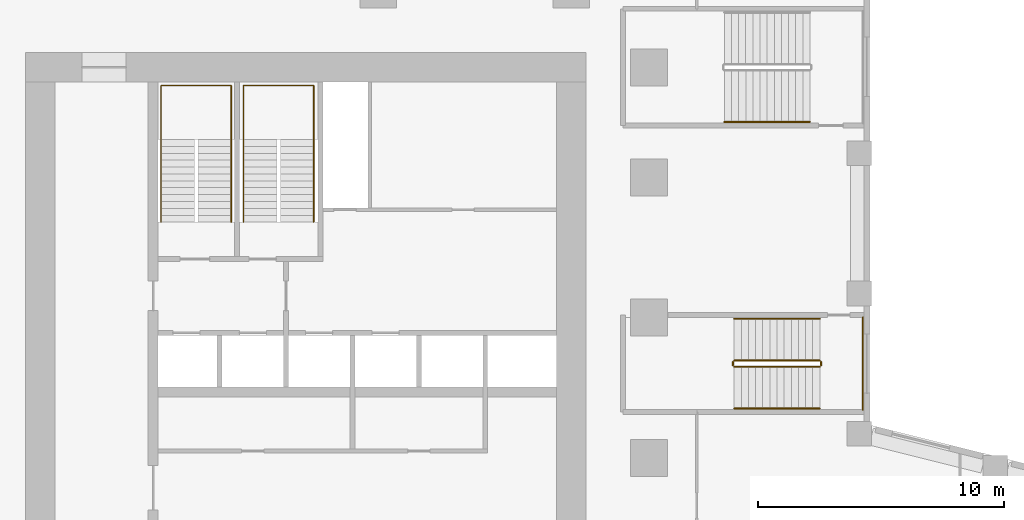
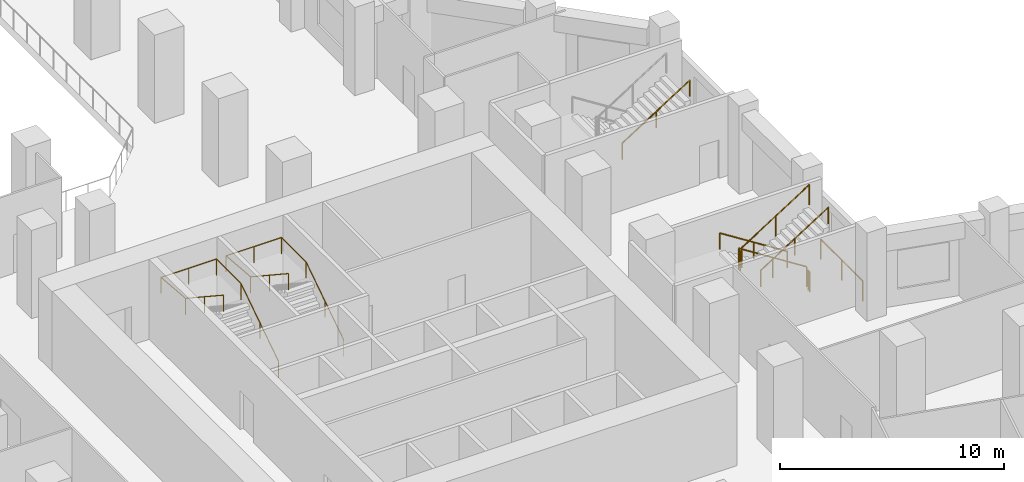
# One storey, part 12 of 16: 10 railings.
"""IFC4 building model written with IfcOpenShell, lengths in metres."""

import ifcopenshell
import ifcopenshell.guid

model = None  # the IFC model being written
_history = None  # IfcOwnerHistory: only IFC2X3 demands one
_inside = {}  # id of a spatial element -> (the spatial element, [elements in it])
_under = {}  # id of a project, library or spatial element -> (it, [spatial elements below it])
_declared = {}  # id of a project -> (the project, [libraries it declares])
_typed = {}  # id of a type object -> (the type object, [elements of that type])
_made_of = {}  # id of a material, layer set ... -> (it, [elements and type objects made of it])


def new_model(schema):
    """Start an empty IFC model of exactly this schema.

    Asked for "IFC4X3", IfcOpenShell would pick the latest addendum, in which some entities
    have other attributes; the version numbers below select the first issue.
    IFC2X3 requires an IfcOwnerHistory on every rooted entity: one is made here for all.
    """
    global model, _history
    if schema == "IFC4X3":
        model = ifcopenshell.file(schema_version=(4, 3, 0, 0))
    else:
        model = ifcopenshell.file(schema=schema)
    _inside.clear()
    _under.clear()
    _declared.clear()
    _typed.clear()
    _made_of.clear()
    _history = None
    if model.schema == "IFC2X3":
        org = make("IfcOrganization", Name="unknown")
        user = make(
            "IfcPersonAndOrganization",
            ThePerson=make("IfcPerson", FamilyName="unknown"),
            TheOrganization=org,
        )
        app = make(
            "IfcApplication",
            ApplicationDeveloper=org,
            Version="unknown",
            ApplicationFullName="unknown",
            ApplicationIdentifier="unknown",
        )
        _history = make(
            "IfcOwnerHistory",
            OwningUser=user,
            OwningApplication=app,
            ChangeAction="ADDED",
            CreationDate=0,
        )
    return model


def make(cls, **values):
    """One entity of the class cls with the attributes given. An attribute that is None is left unset."""
    return model.create_entity(
        cls, **{name: value for name, value in values.items() if value is not None}
    )


def rooted(cls, **values):
    """An entity with a GlobalId (a new one), such as an element, a storey or a relation."""
    return make(cls, GlobalId=ifcopenshell.guid.new(), OwnerHistory=_history, **values)


def si_unit(unit_type, name, prefix=None):
    """IfcSIUnit, for example si_unit("LENGTHUNIT", "METRE", prefix="MILLI")."""
    return make("IfcSIUnit", UnitType=unit_type, Prefix=prefix, Name=name)


def assignment(units):
    """IfcUnitAssignment: the units of a project."""
    return None if units is None else make("IfcUnitAssignment", Units=units)


def point(xyz):
    """IfcCartesianPoint."""
    return None if xyz is None else make("IfcCartesianPoint", Coordinates=xyz)


def direction(xyz):
    """IfcDirection."""
    return None if xyz is None else make("IfcDirection", DirectionRatios=xyz)


def frame(location, z_axis=None, x_axis=None):
    """IfcAxis2Placement3D, a coordinate frame: its origin and axes. An axis left out is left unset."""
    return make(
        "IfcAxis2Placement3D",
        Location=point(location),
        Axis=direction(z_axis),
        RefDirection=direction(x_axis),
    )


def frame_2d(location, x_axis=None):
    """IfcAxis2Placement2D, a coordinate frame in the plane: its origin and x axis."""
    return make(
        "IfcAxis2Placement2D", Location=point(location), RefDirection=direction(x_axis)
    )


def origin():
    """The frame at (0, 0, 0) with its axes left unset."""
    return frame((0.0, 0.0, 0.0))


def origin_2d():
    """The frame at (0, 0) in the plane with its x axis left unset."""
    return frame_2d((0.0, 0.0))


def place(relative_to, where):
    """IfcLocalPlacement: puts the frame where relative to a parent placement (None: the world)."""
    return make(
        "IfcLocalPlacement", PlacementRelTo=relative_to, RelativePlacement=where
    )


def context(
    kind, dimensions, precision=None, world=None, true_north=None, identifier=None
):
    """IfcGeometricRepresentationContext, for example the 3D "Model" context."""
    return make(
        "IfcGeometricRepresentationContext",
        ContextIdentifier=identifier,
        ContextType=kind,
        CoordinateSpaceDimension=dimensions,
        Precision=precision,
        WorldCoordinateSystem=world,
        TrueNorth=true_north,
    )


def subcontext(parent, identifier, kind, view, scale=None):
    """IfcGeometricRepresentationSubContext, for example "Body" below "Model"."""
    return make(
        "IfcGeometricRepresentationSubContext",
        ContextIdentifier=identifier,
        ContextType=kind,
        ParentContext=parent,
        TargetScale=scale,
        TargetView=view,
    )


def project(units=None, contexts=None):
    """IfcProject with its units and contexts."""
    return rooted(
        "IfcProject",
        Name="project",
        RepresentationContexts=contexts,
        UnitsInContext=assignment(units),
    )


def spatial(cls, under=None, at=None, **own):
    """A site, building, storey or space (cls), placed at a placement, below another one or the project."""
    s = rooted(cls, ObjectPlacement=at, **own)
    if under is not None:
        _under.setdefault(under.id(), (under, []))[1].append(s)
    return s


def profile(cls, at=None, kind="AREA", **sizes):
    """A parametric profile (cls). Its sizes go by their IFC names, for example OverallWidth=200.0."""
    return make(cls, ProfileType=kind, Position=at, **sizes)


def circle(**sizes):
    """IfcCircleProfileDef."""
    return profile("IfcCircleProfileDef", **sizes)


def extrude(swept, where, along, depth):
    """IfcExtrudedAreaSolid: the profile swept, set in the frame where, extruded along a direction by depth."""
    return make(
        "IfcExtrudedAreaSolid",
        SweptArea=swept,
        Position=where,
        ExtrudedDirection=direction(along),
        Depth=depth,
    )


def shape(context_of_items, identifier, shape_type, items):
    """IfcShapeRepresentation: the items that make up one representation, for example the "Body"."""
    return make(
        "IfcShapeRepresentation",
        ContextOfItems=context_of_items,
        RepresentationIdentifier=identifier,
        RepresentationType=shape_type,
        Items=items,
    )


def material(Name=None, Category=None):
    """IfcMaterial."""
    return make("IfcMaterial", Name=Name, Category=Category)


def made_of(thing, what):
    """Note that an element or type object is made of a material, layer set ...; save() writes the relation."""
    if what is not None:
        _made_of.setdefault(what.id(), (what, []))[1].append(thing)
    return thing


def type_object(cls, material=None, **own):
    """A type object (cls), such as IfcWallType, which elements share."""
    return made_of(rooted(cls, **own), material)


def element(
    cls,
    number,
    at=None,
    inside=None,
    cuts=None,
    type_object=None,
    material=None,
    context=None,
    identifier="Body",
    shape_type=None,
    held_by="IfcProductDefinitionShape",
    body=None,
    shapes=None,
    **own,
):
    """One element of the class cls, such as IfcWall. Its Tag is "e" and its number.

    at: its placement. inside: the storey or other place that contains it. cuts: it is an
    opening in that element (IfcRelVoidsElement). A single representation is given by context,
    identifier, shape_type and body (its items); several are given by shapes. held_by: the class
    of the entity that holds the representations. save() writes the other relations.
    """
    e = rooted(cls, Tag="e%d" % number, ObjectPlacement=at, **own)
    if body is not None:
        shapes = [shape(context, identifier, shape_type, body)]
    if shapes is not None:
        e.Representation = make(held_by, Representations=shapes)
    if inside is not None:
        _inside.setdefault(inside.id(), (inside, []))[1].append(e)
    if cuts is not None:
        rooted(
            "IfcRelVoidsElement", RelatingBuildingElement=cuts, RelatedOpeningElement=e
        )
    if type_object is not None:
        _typed.setdefault(type_object.id(), (type_object, []))[1].append(e)
    return made_of(e, material)


def aggregate(whole, parts):
    """IfcRelAggregates: a whole, such as a stair, and the parts it consists of."""
    return rooted("IfcRelAggregates", RelatingObject=whole, RelatedObjects=parts)


def save(model, path):
    """Write the relations noted so far, then the file.

    IfcRelAggregates (storeys below a building ...), IfcRelContainedInSpatialStructure (elements
    in a storey), IfcRelDefinesByType, IfcRelAssociatesMaterial and IfcRelDeclares: one each for
    every whole, place, type object, material and project.
    """
    for whole, parts in _under.values():
        aggregate(whole, parts)
    for where, things in _inside.values():
        rooted(
            "IfcRelContainedInSpatialStructure",
            RelatedElements=things,
            RelatingStructure=where,
        )
    for kind, things in _typed.values():
        rooted("IfcRelDefinesByType", RelatedObjects=things, RelatingType=kind)
    for what, things in _made_of.values():
        rooted("IfcRelAssociatesMaterial", RelatedObjects=things, RelatingMaterial=what)
    for by, libraries in _declared.values():
        rooted("IfcRelDeclares", RelatingContext=by, RelatedDefinitions=libraries)
    model.write(path)


model = new_model("IFC4")

# Units and contexts
model_context = context("Model", 3, precision=1e-05, world=origin(), true_north=direction((0.0, 1.0)))
body_context = subcontext(model_context, "Body", "Model", "MODEL_VIEW")
ifc_project = project(units=[si_unit("LENGTHUNIT", "METRE"), si_unit("AREAUNIT", "SQUARE_METRE"), si_unit("VOLUMEUNIT", "CUBIC_METRE"), si_unit("PLANEANGLEUNIT", "RADIAN"), si_unit("MASSUNIT", "GRAM", prefix="KILO")], contexts=[model_context])

# Site, building, storey
site_placement = place(None, origin())
site = spatial("IfcSite", under=ifc_project, at=site_placement, CompositionType="ELEMENT")
building_placement = place(site_placement, origin())
building = spatial("IfcBuilding", under=site, at=building_placement, Name="Meshkara Civic Tower", CompositionType="ELEMENT")
storey_placement = place(building_placement, frame((0.0, 0.0, 18.60009765625)))
storey = spatial("IfcBuildingStorey", under=building, at=storey_placement, Name="L03", CompositionType="ELEMENT", Elevation=18.60009765625)

# Railings
ifc_material_1 = material(Name="Steel guard", Category="steel")
railing_type_1 = type_object("IfcRailingType", Name="Podium stair guard 1100", PredefinedType="GUARDRAIL", material=ifc_material_1)
railing_1_placement = place(storey_placement, frame((40.300048828125, 24.375, 0.1845703125)))
element("IfcRailing", 1, at=railing_1_placement, inside=storey, type_object=railing_type_1, Name="L03 PS5 stair guard 1", PredefinedType="GUARDRAIL", context=body_context, shape_type="SweptSolid", body=[
    extrude(circle(Radius=0.02392578125, at=origin_2d()), frame((0.0, 0.0, 1.076171875), z_axis=(-0.843573748531, 0.0, 0.537013343214), x_axis=(0.0, -1.0, 0.0)), (0.0, 0.0, 1.0), 4.125244140625),
    extrude(circle(Radius=0.02099609375, at=origin_2d()), origin(), (0.0, 0.0, 1.0), 1.052001953125),
    extrude(circle(Radius=0.02099609375, at=origin_2d()), frame((-1.739990234375, 0.0, 1.107666015625)), (0.0, 0.0, 1.0), 1.052001953125),
    extrude(circle(Radius=0.02099609375, at=origin_2d()), frame((-3.47998046875, 0.0, 2.21533203125)), (0.0, 0.0, 1.0), 1.052001953125),
])
railing_2_placement = place(storey_placement, frame((36.77001953125, 24.324951171875, 2.39990234375)))
element("IfcRailing", 2, at=railing_2_placement, inside=storey, type_object=railing_type_1, Name="L03 PS5 stair guard 2", PredefinedType="GUARDRAIL", context=body_context, shape_type="SweptSolid", body=[
    extrude(circle(Radius=0.02392578125, at=origin_2d()), frame((0.0, 0.0, 1.076171875), z_axis=(0.0, -1.0, 0.0), x_axis=(1.0, 0.0, 0.0)), (0.0, 0.0, 1.0), 0.14990234375),
    extrude(circle(Radius=0.02099609375, at=origin_2d()), origin(), (0.0, 0.0, 1.0), 1.052001953125),
    extrude(circle(Radius=0.02099609375, at=origin_2d()), frame((0.0, -0.14990234375, 0.0)), (0.0, 0.0, 1.0), 1.052001953125),
])
railing_3_placement = place(storey_placement, frame((36.820068359375, 24.125, 2.58447265625)))
element("IfcRailing", 3, at=railing_3_placement, inside=storey, type_object=railing_type_1, Name="L03 PS5 stair guard 3", PredefinedType="GUARDRAIL", context=body_context, shape_type="SweptSolid", body=[
    extrude(circle(Radius=0.02392578125, at=origin_2d()), frame((0.0, 0.0, 1.076171875), z_axis=(0.843573748531, 0.0, 0.537013343214), x_axis=(0.0, 1.0, 0.0)), (0.0, 0.0, 1.0), 4.125244140625),
    extrude(circle(Radius=0.02099609375, at=origin_2d()), origin(), (0.0, 0.0, 1.0), 1.052001953125),
    extrude(circle(Radius=0.02099609375, at=origin_2d()), frame((1.739990234375, 0.0, 1.107666015625)), (0.0, 0.0, 1.0), 1.052001953125),
    extrude(circle(Radius=0.02099609375, at=origin_2d()), frame((3.47998046875, 0.0, 2.21533203125)), (0.0, 0.0, 1.0), 1.052001953125),
])
railing_4_placement = place(storey_placement, frame((40.35009765625, 24.324951171875, 0.0)))
element("IfcRailing", 4, at=railing_4_placement, inside=storey, type_object=railing_type_1, Name="L03 PS5 stair guard 4", PredefinedType="GUARDRAIL", context=body_context, shape_type="SweptSolid", body=[
    extrude(circle(Radius=0.02392578125, at=origin_2d()), frame((0.0, 0.0, 1.076171875), z_axis=(0.0, -1.0, 0.0), x_axis=(1.0, 0.0, 0.0)), (0.0, 0.0, 1.0), 0.14990234375),
    extrude(circle(Radius=0.02099609375, at=origin_2d()), origin(), (0.0, 0.0, 1.0), 1.052001953125),
    extrude(circle(Radius=0.02099609375, at=origin_2d()), frame((0.0, -0.14990234375, 0.0)), (0.0, 0.0, 1.0), 1.052001953125),
])
railing_5_placement = place(storey_placement, frame((42.050048828125, 26.125, 0.0)))
element("IfcRailing", 5, at=railing_5_placement, inside=storey, type_object=railing_type_1, Name="L03 PS5 stair guard 5", PredefinedType="GUARDRAIL", context=body_context, shape_type="SweptSolid", body=[
    extrude(circle(Radius=0.02392578125, at=origin_2d()), frame((0.0, 0.0, 1.076171875), z_axis=(0.0, -1.0, 0.0), x_axis=(1.0, 0.0, 0.0)), (0.0, 0.0, 1.0), 3.75),
    extrude(circle(Radius=0.02099609375, at=origin_2d()), origin(), (0.0, 0.0, 1.0), 1.052001953125),
    extrude(circle(Radius=0.02099609375, at=origin_2d()), frame((0.0, -1.875, 0.0)), (0.0, 0.0, 1.0), 1.052001953125),
    extrude(circle(Radius=0.02099609375, at=origin_2d()), frame((0.0, -3.75, 0.0)), (0.0, 0.0, 1.0), 1.052001953125),
])
ifc_material_2 = material(Name="Steel handrail", Category="steel")
railing_type_2 = type_object("IfcRailingType", Name="Podium stair handrail 900", PredefinedType="HANDRAIL", material=ifc_material_2)
railing_6_placement = place(storey_placement, frame((40.300048828125, 26.074951171875, 0.1845703125)))
element("IfcRailing", 6, at=railing_6_placement, inside=storey, type_object=railing_type_2, Name="L03 PS5 stair handrail 1", PredefinedType="HANDRAIL", context=body_context, shape_type="SweptSolid", body=[
    extrude(circle(Radius=0.02392578125, at=origin_2d()), frame((0.0, 0.0, 0.8759765625), z_axis=(-0.843573748531, 0.0, 0.537013343214), x_axis=(0.0, -1.0, 0.0)), (0.0, 0.0, 1.0), 4.125244140625),
    extrude(circle(Radius=0.02099609375, at=origin_2d()), origin(), (0.0, 0.0, 1.0), 0.851806640625),
    extrude(circle(Radius=0.02099609375, at=origin_2d()), frame((-1.739990234375, 0.0, 1.107666015625)), (0.0, 0.0, 1.0), 0.851806640625),
    extrude(circle(Radius=0.02099609375, at=origin_2d()), frame((-3.47998046875, 0.0, 2.21533203125)), (0.0, 0.0, 1.0), 0.851806640625),
])
for number, where, name in (
    (7, (36.820068359375, 22.425048828125, 2.58447265625), "L03 PS5 stair handrail 2"),
    (8, (36.419921875, 34.074951171875, 2.58447265625), "L03 PS6 stair handrail 2"),
):
    element("IfcRailing", number, at=place(storey_placement, frame(where)), inside=storey, type_object=railing_type_2, Name=name, PredefinedType="HANDRAIL", context=body_context, shape_type="SweptSolid", body=[
        extrude(circle(Radius=0.02392578125, at=origin_2d()), frame((0.0, 0.0, 0.8759765625), z_axis=(0.843573748531, 0.0, 0.537013343214), x_axis=(0.0, 1.0, 0.0)), (0.0, 0.0, 1.0), 4.125244140625),
        extrude(circle(Radius=0.02099609375, at=origin_2d()), origin(), (0.0, 0.0, 1.0), 0.851806640625),
        extrude(circle(Radius=0.02099609375, at=origin_2d()), frame((1.739990234375, 0.0, 1.107666015625)), (0.0, 0.0, 1.0), 0.851806640625),
        extrude(circle(Radius=0.02099609375, at=origin_2d()), frame((3.47998046875, 0.0, 2.21533203125)), (0.0, 0.0, 1.0), 0.851806640625),
    ])
ifc_material_3 = material(Name="Steel handrail", Category="steel")
railing_type_3 = type_object("IfcRailingType", Name="Stair handrail 900", PredefinedType="HANDRAIL", material=ifc_material_3)
railing_7_placement = place(storey_placement, frame((16.375, 30.0, 0.1845703125)))
element("IfcRailing", 9, at=railing_7_placement, inside=storey, type_object=railing_type_3, Name="L03 ST1 stair handrail 1", PredefinedType="HANDRAIL", context=body_context, shape_type="SweptSolid", body=[
    extrude(circle(Radius=0.02392578125, at=origin_2d()), frame((0.0, 0.0, 0.8759765625), z_axis=(0.0, 0.834876476806, 0.550437342915), x_axis=(-1.0, 0.0, 0.0)), (0.0, 0.0, 1.0), 4.024658203125),
    extrude(circle(Radius=0.02392578125, at=origin_2d()), frame((0.0, 3.360107421875, 3.09130859375), z_axis=(0.0, 1.0, 0.0), x_axis=(-1.0, 0.0, 0.0)), (0.0, 0.0, 1.0), 2.18994140625),
    extrude(circle(Radius=0.02392578125, at=origin_2d()), frame((0.0, 5.550048828125, 3.09130859375), z_axis=(-1.0, 0.0, 0.0), x_axis=(0.0, -1.0, 0.0)), (0.0, 0.0, 1.0), 2.85009765625),
    extrude(circle(Radius=0.02392578125, at=origin_2d()), frame((-2.85009765625, 5.550048828125, 3.09130859375), z_axis=(0.0, -0.996467171765, 0.083983186383), x_axis=(1.0, 0.0, 0.0)), (0.0, 0.0, 1.0), 2.19775390625),
    extrude(circle(Radius=0.02392578125, at=origin_2d()), frame((-2.85009765625, 3.360107421875, 3.27587890625), z_axis=(0.0, -0.834876476806, 0.550437342915), x_axis=(1.0, 0.0, 0.0)), (0.0, 0.0, 1.0), 4.024658203125),
    extrude(circle(Radius=0.02099609375, at=origin_2d()), origin(), (0.0, 0.0, 1.0), 0.851806640625),
    extrude(circle(Radius=0.02099609375, at=origin_2d()), frame((0.0, 1.68017578125, 1.107666015625)), (0.0, 0.0, 1.0), 0.851806640625),
    extrude(circle(Radius=0.02099609375, at=origin_2d()), frame((0.0, 3.360107421875, 2.21533203125)), (0.0, 0.0, 1.0), 0.851806640625),
    extrude(circle(Radius=0.02099609375, at=origin_2d()), frame((0.0, 5.550048828125, 2.21533203125)), (0.0, 0.0, 1.0), 0.851806640625),
    extrude(circle(Radius=0.02099609375, at=origin_2d()), frame((-1.425048828125, 5.550048828125, 2.21533203125)), (0.0, 0.0, 1.0), 0.851806640625),
    extrude(circle(Radius=0.02099609375, at=origin_2d()), frame((-2.85009765625, 5.550048828125, 2.21533203125)), (0.0, 0.0, 1.0), 0.851806640625),
    extrude(circle(Radius=0.02099609375, at=origin_2d()), frame((-2.85009765625, 3.360107421875, 2.39990234375)), (0.0, 0.0, 1.0), 0.851806640625),
    extrude(circle(Radius=0.02099609375, at=origin_2d()), frame((-2.85009765625, 1.68017578125, 3.507568359375)), (0.0, 0.0, 1.0), 0.851806640625),
    extrude(circle(Radius=0.02099609375, at=origin_2d()), frame((-2.85009765625, 0.0, 4.615234375)), (0.0, 0.0, 1.0), 0.851806640625),
])
railing_8_placement = place(storey_placement, frame((19.72509765625, 30.0, 0.1845703125)))
element("IfcRailing", 10, at=railing_8_placement, inside=storey, type_object=railing_type_3, Name="L03 ST2 stair handrail 1", PredefinedType="HANDRAIL", context=body_context, shape_type="SweptSolid", body=[
    extrude(circle(Radius=0.02392578125, at=origin_2d()), frame((0.0, 0.0, 0.8759765625), z_axis=(0.0, 0.834876476806, 0.550437342915), x_axis=(-1.0, 0.0, 0.0)), (0.0, 0.0, 1.0), 4.024658203125),
    extrude(circle(Radius=0.02392578125, at=origin_2d()), frame((0.0, 3.360107421875, 3.09130859375), z_axis=(0.0, 1.0, 0.0), x_axis=(-1.0, 0.0, 0.0)), (0.0, 0.0, 1.0), 2.18994140625),
    extrude(circle(Radius=0.02392578125, at=origin_2d()), frame((0.0, 5.550048828125, 3.09130859375), z_axis=(-1.0, 0.0, 0.0), x_axis=(0.0, -1.0, 0.0)), (0.0, 0.0, 1.0), 2.85009765625),
    extrude(circle(Radius=0.02392578125, at=origin_2d()), frame((-2.85009765625, 5.550048828125, 3.09130859375), z_axis=(0.0, -0.996467171765, 0.083983186383), x_axis=(1.0, 0.0, 0.0)), (0.0, 0.0, 1.0), 2.19775390625),
    extrude(circle(Radius=0.02392578125, at=origin_2d()), frame((-2.85009765625, 3.360107421875, 3.27587890625), z_axis=(0.0, -0.834876476806, 0.550437342915), x_axis=(1.0, 0.0, 0.0)), (0.0, 0.0, 1.0), 4.024658203125),
    extrude(circle(Radius=0.02099609375, at=origin_2d()), origin(), (0.0, 0.0, 1.0), 0.851806640625),
    extrude(circle(Radius=0.02099609375, at=origin_2d()), frame((0.0, 1.68017578125, 1.107666015625)), (0.0, 0.0, 1.0), 0.851806640625),
    extrude(circle(Radius=0.02099609375, at=origin_2d()), frame((0.0, 3.360107421875, 2.21533203125)), (0.0, 0.0, 1.0), 0.851806640625),
    extrude(circle(Radius=0.02099609375, at=origin_2d()), frame((0.0, 5.550048828125, 2.21533203125)), (0.0, 0.0, 1.0), 0.851806640625),
    extrude(circle(Radius=0.02099609375, at=origin_2d()), frame((-1.425048828125, 5.550048828125, 2.21533203125)), (0.0, 0.0, 1.0), 0.851806640625),
    extrude(circle(Radius=0.02099609375, at=origin_2d()), frame((-2.85009765625, 5.550048828125, 2.21533203125)), (0.0, 0.0, 1.0), 0.851806640625),
    extrude(circle(Radius=0.02099609375, at=origin_2d()), frame((-2.85009765625, 3.360107421875, 2.39990234375)), (0.0, 0.0, 1.0), 0.851806640625),
    extrude(circle(Radius=0.02099609375, at=origin_2d()), frame((-2.85009765625, 1.68017578125, 3.507568359375)), (0.0, 0.0, 1.0), 0.851806640625),
    extrude(circle(Radius=0.02099609375, at=origin_2d()), frame((-2.85009765625, 0.0, 4.615234375)), (0.0, 0.0, 1.0), 0.851806640625),
])

save(model, "model.ifc")
